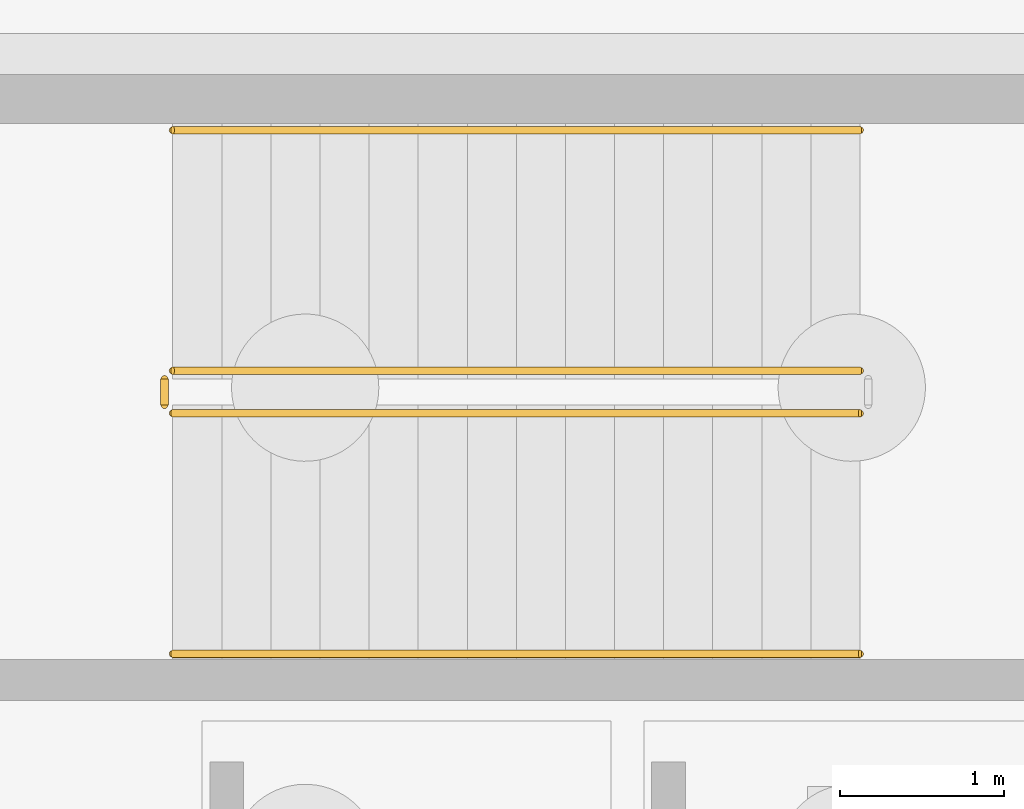
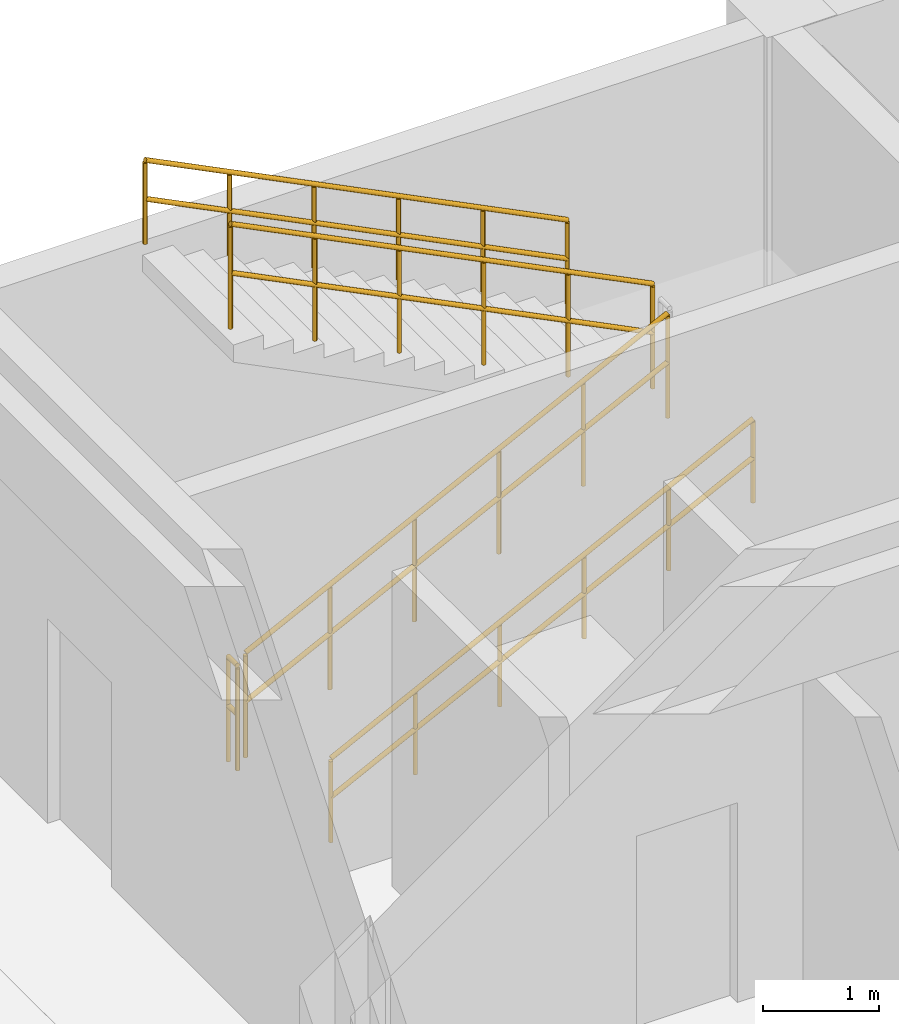
# One storey, part 37 of 43: 5 railings.
"""IFC4 building model written with IfcOpenShell, lengths in metres."""

from ifc_helpers import new_model, si_unit, derived_unit, direction, frame, origin, origin_2d, place, context, subcontext, project, spatial, circle, extrude, material, type_object, element, save


model = new_model("IFC4")

# Units and contexts
model_context = context("Model", 3, precision=1e-05, world=origin(), true_north=direction((0.0, 1.0)))
body_context = subcontext(model_context, "Body", "Model", "MODEL_VIEW")
ifc_project = project(units=[si_unit("LENGTHUNIT", "METRE"), si_unit("AREAUNIT", "SQUARE_METRE"), si_unit("VOLUMEUNIT", "CUBIC_METRE"), si_unit("PLANEANGLEUNIT", "RADIAN"), si_unit("MASSUNIT", "GRAM", prefix="KILO"), derived_unit("THERMALTRANSMITTANCEUNIT", [(si_unit("POWERUNIT", "WATT"), 1), (si_unit("AREAUNIT", "SQUARE_METRE"), -1), (si_unit("THERMODYNAMICTEMPERATUREUNIT", "KELVIN"), -1)])], contexts=[model_context])

# Site, building, storey
site_placement = place(None, origin())
site = spatial("IfcSite", under=ifc_project, at=site_placement, CompositionType="ELEMENT")
building_placement = place(site_placement, origin())
building = spatial("IfcBuilding", under=site, at=building_placement, Name="Yasenodar Specialist Clinic", CompositionType="ELEMENT")
storey_placement = place(building_placement, frame((0.0, 0.0, -4.5)))
storey = spatial("IfcBuildingStorey", under=building, at=storey_placement, Name="B1", CompositionType="ELEMENT", Elevation=-4.5)

# Railings
ifc_material_1 = material(Name="Steel S355 Painted Stair Guardrail", Category="steel")
railing_type_1 = type_object("IfcRailingType", Name="RL-ST-GRD", PredefinedType="GUARDRAIL", material=ifc_material_1)
railing_1_placement = place(storey_placement, frame((58.8701171875, 109.530029296875, 0.14990234375)))
element("IfcRailing", 1, at=railing_1_placement, inside=storey, type_object=railing_type_1, Name="B1 ST-04 stair guard 1", PredefinedType="GUARDRAIL", context=body_context, shape_type="SweptSolid", body=[
    extrude(circle(Radius=0.02392578125, at=origin_2d()), frame((0.0, 0.0, 1.09619140625), z_axis=(0.894416792377, 0.0, 0.447234392142), x_axis=(0.0, 1.0, 0.0)), (0.0, 0.0, 1.0), 4.69580078125),
    extrude(circle(Radius=0.02392578125, at=origin_2d()), frame((0.0, 0.0, 0.58251953125), z_axis=(0.894416792377, 0.0, 0.447234392142), x_axis=(0.0, 1.0, 0.0)), (0.0, 0.0, 1.0), 4.69580078125),
    extrude(circle(Radius=0.02099609375, at=origin_2d()), origin(), (0.0, 0.0, 1.0), 1.072021484375),
    extrude(circle(Radius=0.02099609375, at=origin_2d()), frame((0.840087890625, 0.0, 0.419921875)), (0.0, 0.0, 1.0), 1.072021484375),
    extrude(circle(Radius=0.02099609375, at=origin_2d()), frame((1.679931640625, 0.0, 0.840087890625)), (0.0, 0.0, 1.0), 1.072021484375),
    extrude(circle(Radius=0.02099609375, at=origin_2d()), frame((2.52001953125, 0.0, 1.260009765625)), (0.0, 0.0, 1.0), 1.072021484375),
    extrude(circle(Radius=0.02099609375, at=origin_2d()), frame((3.35986328125, 0.0, 1.68017578125)), (0.0, 0.0, 1.0), 1.072021484375),
    extrude(circle(Radius=0.02099609375, at=origin_2d()), frame((4.199951171875, 0.0, 2.10009765625)), (0.0, 0.0, 1.0), 1.072021484375),
])
railing_2_placement = place(storey_placement, frame((63.070068359375, 109.7900390625, 2.39990234375)))
element("IfcRailing", 2, at=railing_2_placement, inside=storey, type_object=railing_type_1, Name="B1 ST-04 stair guard 3", PredefinedType="GUARDRAIL", context=body_context, shape_type="SweptSolid", body=[
    extrude(circle(Radius=0.02392578125, at=origin_2d()), frame((0.0, 0.0, 1.09619140625), z_axis=(-0.894416792377, 0.0, 0.447234392142), x_axis=(0.0, -1.0, 0.0)), (0.0, 0.0, 1.0), 4.69580078125),
    extrude(circle(Radius=0.02392578125, at=origin_2d()), frame((0.0, 0.0, 0.58251953125), z_axis=(-0.894416792377, 0.0, 0.447234392142), x_axis=(0.0, -1.0, 0.0)), (0.0, 0.0, 1.0), 4.69580078125),
    extrude(circle(Radius=0.02099609375, at=origin_2d()), origin(), (0.0, 0.0, 1.0), 1.072021484375),
    extrude(circle(Radius=0.02099609375, at=origin_2d()), frame((-0.840087890625, 0.0, 0.419921875)), (0.0, 0.0, 1.0), 1.072021484375),
    extrude(circle(Radius=0.02099609375, at=origin_2d()), frame((-1.679931640625, 0.0, 0.840087890625)), (0.0, 0.0, 1.0), 1.072021484375),
    extrude(circle(Radius=0.02099609375, at=origin_2d()), frame((-2.52001953125, 0.0, 1.260009765625)), (0.0, 0.0, 1.0), 1.072021484375),
    extrude(circle(Radius=0.02099609375, at=origin_2d()), frame((-3.35986328125, 0.0, 1.68017578125)), (0.0, 0.0, 1.0), 1.072021484375),
    extrude(circle(Radius=0.02099609375, at=origin_2d()), frame((-4.199951171875, 0.0, 2.10009765625)), (0.0, 0.0, 1.0), 1.072021484375),
])
railing_3_placement = place(storey_placement, frame((58.820068359375, 109.580078125, 0.0)))
element("IfcRailing", 3, at=railing_3_placement, inside=storey, type_object=railing_type_1, Name="B1 ST-04 stair guard 4", PredefinedType="GUARDRAIL", context=body_context, shape_type="SweptSolid", body=[
    extrude(circle(Radius=0.02392578125, at=origin_2d()), frame((0.0, 0.0, 1.09619140625), z_axis=(0.0, 1.0, 0.0), x_axis=(-1.0, 0.0, 0.0)), (0.0, 0.0, 1.0), 0.159912109375),
    extrude(circle(Radius=0.02392578125, at=origin_2d()), frame((0.0, 0.0, 0.58251953125), z_axis=(0.0, 1.0, 0.0), x_axis=(-1.0, 0.0, 0.0)), (0.0, 0.0, 1.0), 0.159912109375),
    extrude(circle(Radius=0.02099609375, at=origin_2d()), origin(), (0.0, 0.0, 1.0), 1.072021484375),
    extrude(circle(Radius=0.02099609375, at=origin_2d()), frame((0.0, 0.159912109375, 0.0)), (0.0, 0.0, 1.0), 1.072021484375),
])
ifc_material_2 = material(Name="Brushed Stainless Steel Handrail", Category="steel")
railing_type_2 = type_object("IfcRailingType", Name="RL-ST-HND", PredefinedType="HANDRAIL", material=ifc_material_2)
railing_4_placement = place(storey_placement, frame((58.8701171875, 108.06005859375, 0.14990234375)))
element("IfcRailing", 4, at=railing_4_placement, inside=storey, type_object=railing_type_2, Name="B1 ST-04 stair handrail 1", PredefinedType="HANDRAIL", context=body_context, shape_type="SweptSolid", body=[
    extrude(circle(Radius=0.02392578125, at=origin_2d()), frame((0.0, 0.0, 0.8759765625), z_axis=(0.894416792377, 0.0, 0.447234392142), x_axis=(0.0, 1.0, 0.0)), (0.0, 0.0, 1.0), 4.69580078125),
    extrude(circle(Radius=0.02392578125, at=origin_2d()), frame((0.0, 0.0, 0.468017578125), z_axis=(0.894416792377, 0.0, 0.447234392142), x_axis=(0.0, 1.0, 0.0)), (0.0, 0.0, 1.0), 4.69580078125),
    extrude(circle(Radius=0.02099609375, at=origin_2d()), origin(), (0.0, 0.0, 1.0), 0.851806640625),
    extrude(circle(Radius=0.02099609375, at=origin_2d()), frame((0.840087890625, 0.0, 0.419921875)), (0.0, 0.0, 1.0), 0.851806640625),
    extrude(circle(Radius=0.02099609375, at=origin_2d()), frame((1.679931640625, 0.0, 0.840087890625)), (0.0, 0.0, 1.0), 0.851806640625),
    extrude(circle(Radius=0.02099609375, at=origin_2d()), frame((2.52001953125, 0.0, 1.260009765625)), (0.0, 0.0, 1.0), 0.851806640625),
    extrude(circle(Radius=0.02099609375, at=origin_2d()), frame((3.35986328125, 0.0, 1.68017578125)), (0.0, 0.0, 1.0), 0.851806640625),
    extrude(circle(Radius=0.02099609375, at=origin_2d()), frame((4.199951171875, 0.0, 2.10009765625)), (0.0, 0.0, 1.0), 0.851806640625),
])
railing_5_placement = place(storey_placement, frame((63.070068359375, 111.260009765625, 2.39990234375)))
element("IfcRailing", 5, at=railing_5_placement, inside=storey, type_object=railing_type_2, Name="B1 ST-04 stair handrail 2", PredefinedType="HANDRAIL", context=body_context, shape_type="SweptSolid", body=[
    extrude(circle(Radius=0.02392578125, at=origin_2d()), frame((0.0, 0.0, 0.8759765625), z_axis=(-0.894416792377, 0.0, 0.447234392142), x_axis=(0.0, -1.0, 0.0)), (0.0, 0.0, 1.0), 4.69580078125),
    extrude(circle(Radius=0.02392578125, at=origin_2d()), frame((0.0, 0.0, 0.468017578125), z_axis=(-0.894416792377, 0.0, 0.447234392142), x_axis=(0.0, -1.0, 0.0)), (0.0, 0.0, 1.0), 4.69580078125),
    extrude(circle(Radius=0.02099609375, at=origin_2d()), origin(), (0.0, 0.0, 1.0), 0.851806640625),
    extrude(circle(Radius=0.02099609375, at=origin_2d()), frame((-0.840087890625, 0.0, 0.419921875)), (0.0, 0.0, 1.0), 0.851806640625),
    extrude(circle(Radius=0.02099609375, at=origin_2d()), frame((-1.679931640625, 0.0, 0.840087890625)), (0.0, 0.0, 1.0), 0.851806640625),
    extrude(circle(Radius=0.02099609375, at=origin_2d()), frame((-2.52001953125, 0.0, 1.260009765625)), (0.0, 0.0, 1.0), 0.851806640625),
    extrude(circle(Radius=0.02099609375, at=origin_2d()), frame((-3.35986328125, 0.0, 1.68017578125)), (0.0, 0.0, 1.0), 0.851806640625),
    extrude(circle(Radius=0.02099609375, at=origin_2d()), frame((-4.199951171875, 0.0, 2.10009765625)), (0.0, 0.0, 1.0), 0.851806640625),
])

save(model, "model.ifc")
